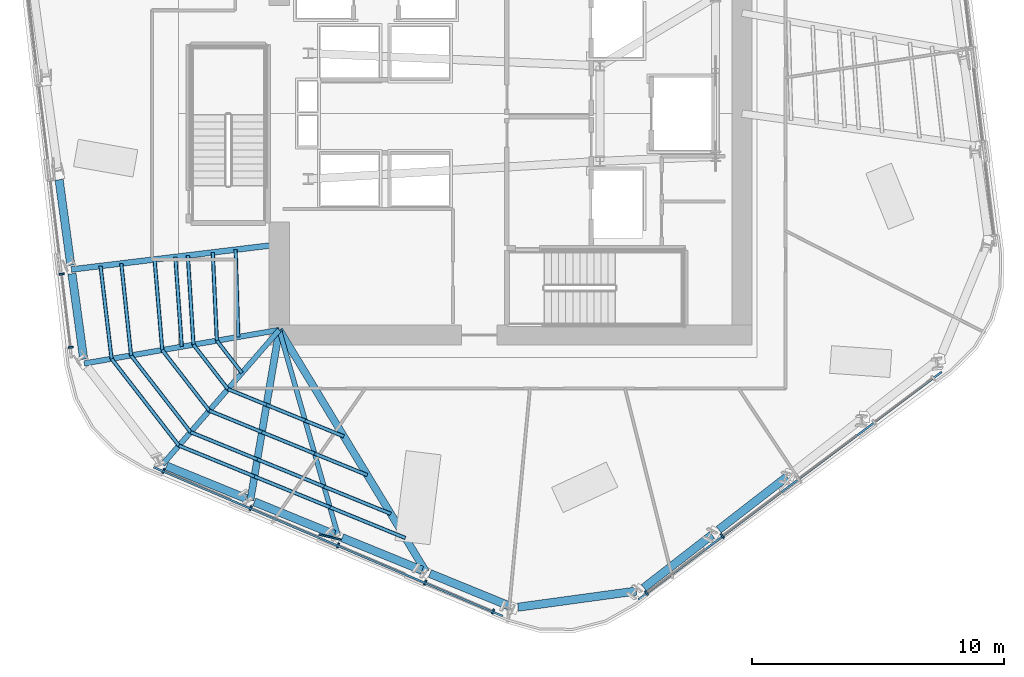
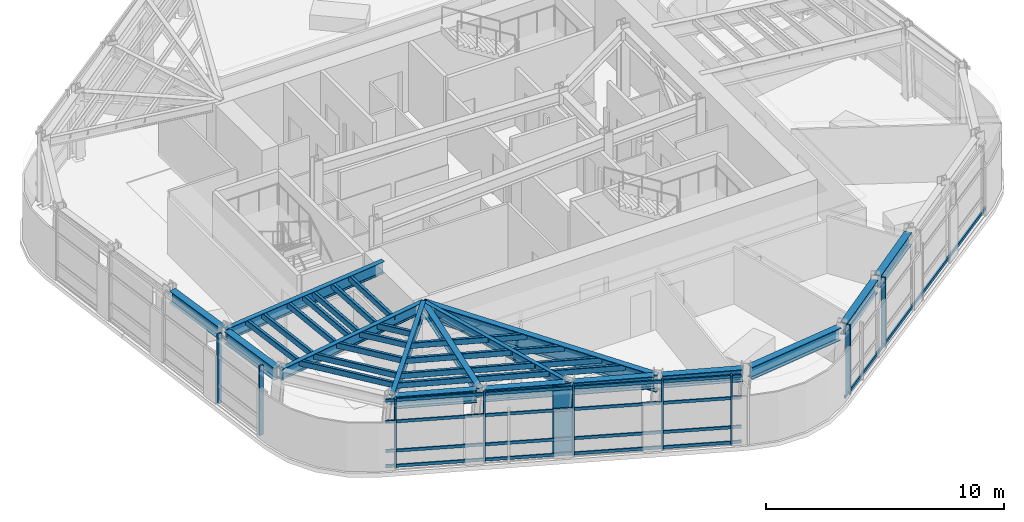
# One storey, part 2 of 14: 39 members, 15 beams, 3 elements without a shape of their own.
"""IFC4 building model written with IfcOpenShell, lengths in metres."""

from ifc_helpers import new_model, si_unit, direction, frame, origin, origin_2d, place, context, subcontext, project, spatial, rectangle, hollow_rectangle, i_section, extrude, material, layer, layer_set, material_profile, profile_set, type_object, element, aggregate, save


model = new_model("IFC4")

# Units and contexts
model_context = context("Model", 3, precision=1e-05, world=origin(), true_north=direction((0.0, 1.0)))
body_context = subcontext(model_context, "Body", "Model", "MODEL_VIEW")
ifc_project = project(units=[si_unit("LENGTHUNIT", "METRE"), si_unit("AREAUNIT", "SQUARE_METRE"), si_unit("VOLUMEUNIT", "CUBIC_METRE"), si_unit("PLANEANGLEUNIT", "RADIAN"), si_unit("MASSUNIT", "GRAM", prefix="KILO")], contexts=[model_context])

# Site, building, storey
site_placement = place(None, origin())
site = spatial("IfcSite", under=ifc_project, at=site_placement, CompositionType="ELEMENT")
building_placement = place(site_placement, origin())
building = spatial("IfcBuilding", under=site, at=building_placement, Name="Valkerne Bourse Tower", CompositionType="ELEMENT")
storey_placement = place(building_placement, frame((0.0, 0.0, 181.800048828125)))
storey = spatial("IfcBuildingStorey", under=building, at=storey_placement, Name="L46", CompositionType="ELEMENT", Elevation=181.800048828125)

# Beams
ifc_material_1 = material(Name="Steel ASTM A992", Category="steel")
ifc_material_profile_1 = material_profile(ifc_material_1, i_section(OverallWidth=0.1904296875, OverallDepth=0.457275390625, WebThickness=0.009033203125, FlangeThickness=0.014404296875, FilletRadius=0.01513671875, at=origin_2d()), Name="W18X50")
ifc_profile_set_1 = profile_set([ifc_material_profile_1], Name="Steel ASTM A992")
beam_type_1 = type_object("IfcBeamType", Name="BM-W18X50", PredefinedType="JOIST", material=ifc_profile_set_1)
beam_1_placement = place(storey_placement, frame((39.944580078125, 10.20166015625, 3.351318359375), z_axis=(-0.27495179558, 0.96145801266, 0.0), x_axis=(-0.96145801266, -0.27495179558, 0.0)))
element("IfcBeam", 1, at=beam_1_placement, inside=storey, type_object=beam_type_1, Name="L46 Radial Composite Floor Beam 17", PredefinedType="JOIST", context=body_context, shape_type="SweptSolid", body=[
    extrude(i_section(OverallWidth=0.1904296875, OverallDepth=0.457275390625, WebThickness=0.009033203125, FlangeThickness=0.014404296875, FilletRadius=0.01513671875, at=origin_2d()), origin(), (0.0, 0.0, 1.0), 8.52685546875),
])
ifc_material_profile_2 = material_profile(ifc_material_1, i_section(OverallWidth=0.279296875, OverallDepth=0.46240234375, WebThickness=0.0107421875, FlangeThickness=0.017333984375, FilletRadius=0.017822265625, at=origin_2d()), Name="W18X76")
ifc_profile_set_2 = profile_set([ifc_material_profile_2], Name="Steel ASTM A992")
beam_type_2 = type_object("IfcBeamType", Name="BM-W18X76", PredefinedType="BEAM", material=ifc_profile_set_2)
beam_2_placement = place(storey_placement, frame((36.453369140625, 11.626708984375, 3.3486328125), z_axis=(0.166928466151, 0.985969009243, 0.0), x_axis=(-0.985969009243, 0.166928466151, 0.0)))
element("IfcBeam", 2, at=beam_2_placement, inside=storey, type_object=beam_type_2, Name="L46 Radial Composite Floor Beam 16", PredefinedType="BEAM", context=body_context, shape_type="SweptSolid", body=[
    extrude(i_section(OverallWidth=0.279296875, OverallDepth=0.46240234375, WebThickness=0.0107421875, FlangeThickness=0.017333984375, FilletRadius=0.017822265625, at=origin_2d()), origin(), (0.0, 0.0, 1.0), 6.86962890625),
])
ifc_material_profile_3 = material_profile(ifc_material_1, i_section(OverallWidth=0.209228515625, OverallDepth=0.533447265625, WebThickness=0.01025390625, FlangeThickness=0.015625, FilletRadius=0.017822265625, at=origin_2d()), Name="W21X62")
ifc_profile_set_3 = profile_set([ifc_material_profile_3], Name="Steel ASTM A992")
beam_type_3 = type_object("IfcBeamType", Name="BM-W21X62", PredefinedType="JOIST", material=ifc_profile_set_3)
beam_3_placement = place(storey_placement, frame((32.9619140625, 13.051513671875, 3.313232421875), z_axis=(0.655165519385, 0.755485368627, 0.0), x_axis=(-0.755485368627, 0.655165519385, 0.0)))
element("IfcBeam", 3, at=beam_3_placement, inside=storey, type_object=beam_type_3, Name="L46 Radial Composite Floor Beam 15", PredefinedType="JOIST", context=body_context, shape_type="SweptSolid", body=[
    extrude(i_section(OverallWidth=0.209228515625, OverallDepth=0.533447265625, WebThickness=0.01025390625, FlangeThickness=0.015625, FilletRadius=0.017822265625, at=origin_2d()), origin(), (0.0, 0.0, 1.0), 7.079345703125),
])
ifc_material_profile_4 = material_profile(ifc_material_1, i_section(OverallWidth=0.2138671875, OverallDepth=0.548583984375, WebThickness=0.0146484375, FlangeThickness=0.023681640625, FilletRadius=0.017822265625, at=origin_2d()), Name="W21X93")
ifc_profile_set_4 = profile_set([ifc_material_profile_4], Name="Steel ASTM A992")
beam_type_4 = type_object("IfcBeamType", Name="BM-W21X93", PredefinedType="BEAM", material=ifc_profile_set_4)
beam_4_placement = place(storey_placement, frame((29.84814453125, 17.0654296875, 3.3056640625), z_axis=(0.985504165926, 0.169651227354, 0.0), x_axis=(-0.169651227354, 0.985504165926, 0.0)))
element("IfcBeam", 4, at=beam_4_placement, inside=storey, type_object=beam_type_4, Name="L46 Radial Composite Floor Beam 14", PredefinedType="BEAM", context=body_context, shape_type="SweptSolid", body=[
    extrude(i_section(OverallWidth=0.2138671875, OverallDepth=0.548583984375, WebThickness=0.0146484375, FlangeThickness=0.023681640625, FilletRadius=0.017822265625, at=origin_2d()), origin(), (0.0, 0.0, 1.0), 7.865966796875),
])
ifc_material_profile_5 = material_profile(ifc_material_1, i_section(OverallWidth=0.32763671875, OverallDepth=0.62744140625, WebThickness=0.0166015625, FlangeThickness=0.027587890625, FilletRadius=0.020263671875, at=origin_2d()), Name="W24X146")
ifc_profile_set_5 = profile_set([ifc_material_profile_5], Name="Steel ASTM A992")
beam_type_5 = type_object("IfcBeamType", Name="BM-W24X146", PredefinedType="SPANDREL", material=ifc_profile_set_5)
for number, where, z_axis, x_axis, name in (
    (5, (28.84765625, 24.369384765625, 3.266357421875), (0.13569107516, -0.990751195872, 0.0), (0.990751195872, 0.13569107516, 0.0), "L46 Hexagonal Spandrel Ring Beam 12"),
    (6, (29.359619140625, 20.63330078125, 3.266357421875), (0.13569107516, -0.990751195872, 0.0), (0.990751195872, 0.13569107516, 0.0), "L46 Hexagonal Spandrel Ring Beam 13"),
    (7, (33.119140625, 12.9873046875, 3.266357421875), (0.925873045145, -0.377834757894, 0.0), (0.377834757894, 0.925873045145, 0.0), "L46 Hexagonal Spandrel Ring Beam 15"),
    (8, (36.610595703125, 11.5625, 3.266357421875), (0.925848151752, -0.377895752686, 0.0), (0.377895752686, 0.925848151752, 0.0), "L46 Hexagonal Spandrel Ring Beam 16"),
    (9, (40.10205078125, 10.137451171875, 3.266357421875), (0.925873045145, -0.377834757894, 0.0), (0.377834757894, 0.925873045145, 0.0), "L46 Hexagonal Spandrel Ring Beam 17"),
    (10, (43.593505859375, 8.712646484375, 3.266357421875), (0.925873045145, -0.377834757894, 0.0), (0.377834757894, 0.925873045145, 0.0), "L46 Hexagonal Spandrel Ring Beam 18"),
):
    element("IfcBeam", number, at=place(storey_placement, frame(where, z_axis=z_axis, x_axis=x_axis)), inside=storey, type_object=beam_type_5, Name=name, PredefinedType="SPANDREL", context=body_context, shape_type="SweptSolid", body=[
        extrude(i_section(OverallWidth=0.32763671875, OverallDepth=0.62744140625, WebThickness=0.0166015625, FlangeThickness=0.027587890625, FilletRadius=0.020263671875, at=origin_2d()), origin(), (0.0, 0.0, 1.0), 3.43115234375),
    ])
beam_5_placement = place(storey_placement, frame((47.09619140625, 7.375, 3.266357421875), z_axis=(0.990747869771, 0.135715358539, 0.0), x_axis=(-0.135715358539, 0.990747869771, 0.0)))
element("IfcBeam", 11, at=beam_5_placement, inside=storey, type_object=beam_type_5, Name="L46 Hexagonal Spandrel Ring Beam 19", PredefinedType="SPANDREL", context=body_context, shape_type="SweptSolid", body=[
    extrude(i_section(OverallWidth=0.32763671875, OverallDepth=0.62744140625, WebThickness=0.0166015625, FlangeThickness=0.027587890625, FilletRadius=0.020263671875, at=origin_2d()), origin(), (0.0, 0.0, 1.0), 4.740234375),
])
beam_6_placement = place(storey_placement, frame((52.09521484375, 8.145751953125, 3.266357421875), z_axis=(0.790160019381, 0.612900598606, 0.0), x_axis=(-0.612900598606, 0.790160019381, 0.0)))
element("IfcBeam", 12, at=beam_6_placement, inside=storey, type_object=beam_type_5, Name="L46 Hexagonal Spandrel Ring Beam 20", PredefinedType="SPANDREL", context=body_context, shape_type="SweptSolid", body=[
    extrude(i_section(OverallWidth=0.32763671875, OverallDepth=0.62744140625, WebThickness=0.0166015625, FlangeThickness=0.027587890625, FilletRadius=0.020263671875, at=origin_2d()), origin(), (0.0, 0.0, 1.0), 3.430908203125),
])
beam_7_placement = place(storey_placement, frame((55.07470703125, 10.45703125, 3.266357421875), z_axis=(0.790186748156, 0.612866137944, 0.0), x_axis=(-0.612866137944, 0.790186748156, 0.0)))
element("IfcBeam", 13, at=beam_7_placement, inside=storey, type_object=beam_type_5, Name="L46 Hexagonal Spandrel Ring Beam 21", PredefinedType="SPANDREL", context=body_context, shape_type="SweptSolid", body=[
    extrude(i_section(OverallWidth=0.32763671875, OverallDepth=0.62744140625, WebThickness=0.0166015625, FlangeThickness=0.027587890625, FilletRadius=0.020263671875, at=origin_2d()), origin(), (0.0, 0.0, 1.0), 3.43115234375),
])
ifc_material_profile_6 = material_profile(ifc_material_1, i_section(OverallWidth=0.228271484375, OverallDepth=0.607177734375, WebThickness=0.01123046875, FlangeThickness=0.017333984375, FilletRadius=0.017822265625, at=origin_2d()), Name="W24X76")
ifc_profile_set_6 = profile_set([ifc_material_profile_6], Name="Steel ASTM A992")
beam_type_6 = type_object("IfcBeamType", Name="BM-W24X76", PredefinedType="JOIST", material=ifc_profile_set_6)
beam_8_placement = place(storey_placement, frame((29.33642578125, 20.801513671875, 3.2763671875), z_axis=(0.992778518529, 0.119961715339, 0.0), x_axis=(-0.119961715339, 0.992778518529, 0.0)))
element("IfcBeam", 14, at=beam_8_placement, inside=storey, type_object=beam_type_6, Name="L46 Radial Composite Floor Beam 13", PredefinedType="JOIST", context=body_context, shape_type="SweptSolid", body=[
    extrude(i_section(OverallWidth=0.228271484375, OverallDepth=0.607177734375, WebThickness=0.01123046875, FlangeThickness=0.017333984375, FilletRadius=0.017822265625, at=origin_2d()), origin(), (0.0, 0.0, 1.0), 8.32373046875),
])
ifc_material_profile_7 = material_profile(ifc_material_1, i_section(OverallWidth=0.2919921875, OverallDepth=0.8583984375, WebThickness=0.01708984375, FlangeThickness=0.031005859375, FilletRadius=0.025390625, at=origin_2d()), Name="W33X169")
ifc_profile_set_7 = profile_set([ifc_material_profile_7], Name="Steel ASTM A992")
beam_type_7 = type_object("IfcBeamType", Name="BM-W33X169", PredefinedType="BEAM", material=ifc_profile_set_7)
beam_9_placement = place(storey_placement, frame((43.436279296875, 8.77685546875, 3.150634765625), z_axis=(-0.518563708553, 0.855038993363, 0.0), x_axis=(-0.855038993363, -0.518563708553, 0.0)))
element("IfcBeam", 15, at=beam_9_placement, inside=storey, type_object=beam_type_7, Name="L46 Radial Composite Floor Beam 18", PredefinedType="BEAM", context=body_context, shape_type="SweptSolid", body=[
    extrude(i_section(OverallWidth=0.2919921875, OverallDepth=0.8583984375, WebThickness=0.01708984375, FlangeThickness=0.031005859375, FilletRadius=0.025390625, at=origin_2d()), origin(), (0.0, 0.0, 1.0), 11.25439453125),
])

# Curtain wall, members
ifc_material_2 = material(Name="Aluminium AA 6063-T6", Category="aluminium")
ifc_layer = layer(ifc_material_2, 0.235107421875)
ifc_layer_set = layer_set([ifc_layer], Name="Aluminium AA 6063-T6")
curtain_wall_type = type_object("IfcCurtainWallType", Name="CW-03", PredefinedType="NOTDEFINED", material=ifc_layer_set)
curtain_wall_1_placement = place(storey_placement, origin())
curtain_wall_1 = element("IfcCurtainWall", 16, at=curtain_wall_1_placement, inside=storey, type_object=curtain_wall_type, Name="L46 Hexagonal Stick Curtain Wall Face 3", PredefinedType="NOTDEFINED")
ifc_material_profile_8 = material_profile(ifc_material_2, rectangle(XDim=0.074951171875, YDim=0.199951171875, at=origin_2d()), Name="CWM-75X200")
ifc_profile_set_8 = profile_set([ifc_material_profile_8], Name="Aluminium AA 6063-T6")
member_type_1 = type_object("IfcMemberType", Name="CW-MUL-220X75", PredefinedType="MULLION", material=ifc_profile_set_8)
member_1_placement = place(storey_placement, frame((28.9541015625, 20.618896484375, 0.0), z_axis=(0.0, 0.0, 1.0), x_axis=(0.120130206083, -0.992758144558, 0.0)))
member_1 = element("IfcMember", 17, at=member_1_placement, type_object=member_type_1, Name="CW-L46-F3 Jamb Mullion 03A", PredefinedType="MULLION", context=body_context, shape_type="SweptSolid", body=[
    extrude(rectangle(XDim=0.074951171875, YDim=0.199951171875, at=origin_2d()), origin(), (0.0, 0.0, 1.0), 3.579833984375),
])
member_2_placement = place(storey_placement, frame((29.30615234375, 17.708984375, 0.0), z_axis=(0.0, 0.0, 1.0), x_axis=(0.120130206083, -0.992758144558, 0.0)))
member_2 = element("IfcMember", 18, at=member_2_placement, type_object=member_type_1, Name="CW-L46-F3 Jamb Mullion 03B", PredefinedType="MULLION", context=body_context, shape_type="SweptSolid", body=[
    extrude(rectangle(XDim=0.074951171875, YDim=0.199951171875, at=origin_2d()), origin(), (0.0, 0.0, 1.0), 3.579833984375),
])
aggregate(curtain_wall_1, [member_1, member_2])

curtain_wall_2_placement = place(storey_placement, origin())
curtain_wall_2 = element("IfcCurtainWall", 19, at=curtain_wall_2_placement, inside=storey, type_object=curtain_wall_type, Name="L46 Hexagonal Stick Curtain Wall Face 4", PredefinedType="NOTDEFINED")
member_3_placement = place(storey_placement, frame((32.997314453125, 12.79296875, 0.0), z_axis=(0.0, 0.0, 1.0), x_axis=(0.919823978755, -0.392331298914, 0.0)))
member_3 = element("IfcMember", 20, at=member_3_placement, type_object=member_type_1, Name="CW-L46-F4 Jamb Mullion 00A", PredefinedType="MULLION", context=body_context, shape_type="SweptSolid", body=[
    extrude(rectangle(XDim=0.074951171875, YDim=0.199951171875, at=origin_2d()), origin(), (0.0, 0.0, 1.0), 3.579833984375),
])
member_4_placement = place(storey_placement, frame((36.466064453125, 11.3134765625, 0.0), z_axis=(0.0, 0.0, 1.0), x_axis=(0.919819896878, -0.392340868769, 0.0)))
member_4 = element("IfcMember", 21, at=member_4_placement, type_object=member_type_1, Name="CW-L46-F4 Jamb Mullion 01A", PredefinedType="MULLION", context=body_context, shape_type="SweptSolid", body=[
    extrude(rectangle(XDim=0.074951171875, YDim=0.199951171875, at=origin_2d()), origin(), (0.0, 0.0, 1.0), 3.579833984375),
])
member_5_placement = place(storey_placement, frame((39.9345703125, 9.833984375, 0.0), z_axis=(0.0, 0.0, 1.0), x_axis=(0.919823978755, -0.392331298914, 0.0)))
member_5 = element("IfcMember", 22, at=member_5_placement, type_object=member_type_1, Name="CW-L46-F4 Jamb Mullion 02A", PredefinedType="MULLION", context=body_context, shape_type="SweptSolid", body=[
    extrude(rectangle(XDim=0.074951171875, YDim=0.199951171875, at=origin_2d()), origin(), (0.0, 0.0, 1.0), 3.579833984375),
])
member_6_placement = place(storey_placement, frame((43.4033203125, 8.3544921875, 0.0), z_axis=(0.0, 0.0, 1.0), x_axis=(0.919819896878, -0.392340868769, 0.0)))
member_6 = element("IfcMember", 23, at=member_6_placement, type_object=member_type_1, Name="CW-L46-F4 Jamb Mullion 03A", PredefinedType="MULLION", context=body_context, shape_type="SweptSolid", body=[
    extrude(rectangle(XDim=0.074951171875, YDim=0.199951171875, at=origin_2d()), origin(), (0.0, 0.0, 1.0), 3.579833984375),
])
member_7_placement = place(storey_placement, frame((46.099365234375, 7.20458984375, 0.0), z_axis=(0.0, 0.0, 1.0), x_axis=(0.919819896878, -0.392340868769, 0.0)))
member_7 = element("IfcMember", 24, at=member_7_placement, type_object=member_type_1, Name="CW-L46-F4 Jamb Mullion 03B", PredefinedType="MULLION", context=body_context, shape_type="SweptSolid", body=[
    extrude(rectangle(XDim=0.074951171875, YDim=0.199951171875, at=origin_2d()), origin(), (0.0, 0.0, 1.0), 3.579833984375),
])

curtain_wall_3_placement = place(storey_placement, origin())
curtain_wall_3 = element("IfcCurtainWall", 25, at=curtain_wall_3_placement, inside=storey, type_object=curtain_wall_type, Name="L46 Hexagonal Stick Curtain Wall Face 5", PredefinedType="NOTDEFINED")
member_8_placement = place(storey_placement, frame((52.202392578125, 7.943115234375, 0.0), z_axis=(0.0, 0.0, 1.0), x_axis=(0.799691229291, 0.600411473737, 0.0)))
member_8 = element("IfcMember", 26, at=member_8_placement, type_object=member_type_1, Name="CW-L46-F5 Jamb Mullion 00A", PredefinedType="MULLION", context=body_context, shape_type="SweptSolid", body=[
    extrude(rectangle(XDim=0.074951171875, YDim=0.199951171875, at=origin_2d()), origin(), (0.0, 0.0, 1.0), 3.579833984375),
])
member_9_placement = place(storey_placement, frame((55.218017578125, 10.207275390625, 0.0), z_axis=(0.0, 0.0, 1.0), x_axis=(0.799694402222, 0.60040724767, 0.0)))
member_9 = element("IfcMember", 27, at=member_9_placement, type_object=member_type_1, Name="CW-L46-F5 Jamb Mullion 01A", PredefinedType="MULLION", context=body_context, shape_type="SweptSolid", body=[
    extrude(rectangle(XDim=0.074951171875, YDim=0.199951171875, at=origin_2d()), origin(), (0.0, 0.0, 1.0), 3.579833984375),
])

# Member
ifc_material_profile_9 = material_profile(ifc_material_2, rectangle(XDim=0.074951171875, YDim=0.14990234375, at=origin_2d()), Name="CWT-75X150")
ifc_profile_set_9 = profile_set([ifc_material_profile_9], Name="Aluminium AA 6063-T6")
member_type_2 = type_object("IfcMemberType", Name="CW-TRN-180X65", PredefinedType="USERDEFINED", material=ifc_profile_set_9)
member_10_placement = place(storey_placement, frame((32.603271484375, 12.939453125, 0.119873046875), z_axis=(0.919821784613, -0.392336443058, 0.0), x_axis=(0.392336443058, 0.919821784613, 0.0)))
member_10 = element("IfcMember", 28, at=member_10_placement, type_object=member_type_2, Name="CW-L46-F4 Continuous Face Transom 1", ObjectType="TRANSOM", PredefinedType="USERDEFINED", context=body_context, shape_type="SweptSolid", body=[
    extrude(rectangle(XDim=0.074951171875, YDim=0.14990234375, at=origin_2d()), origin(), (0.0, 0.0, 1.0), 15.083984375),
])

member_11_placement = place(storey_placement, frame((32.603271484375, 12.939453125, 0.89990234375), z_axis=(0.919821784613, -0.392336443058, 0.0), x_axis=(0.392336443058, 0.919821784613, 0.0)))
member_11 = element("IfcMember", 29, at=member_11_placement, type_object=member_type_2, Name="CW-L46-F4 Continuous Face Transom 2", ObjectType="TRANSOM", PredefinedType="USERDEFINED", context=body_context, shape_type="SweptSolid", body=[
    extrude(rectangle(XDim=0.074951171875, YDim=0.14990234375, at=origin_2d()), origin(), (0.0, 0.0, 1.0), 15.083984375),
])

member_12_placement = place(storey_placement, frame((32.603271484375, 12.939453125, 2.39990234375), z_axis=(0.919821784613, -0.392336443058, 0.0), x_axis=(0.392336443058, 0.919821784613, 0.0)))
member_12 = element("IfcMember", 30, at=member_12_placement, type_object=member_type_2, Name="CW-L46-F4 Continuous Face Transom 3", ObjectType="TRANSOM", PredefinedType="USERDEFINED", context=body_context, shape_type="SweptSolid", body=[
    extrude(rectangle(XDim=0.074951171875, YDim=0.14990234375, at=origin_2d()), origin(), (0.0, 0.0, 1.0), 15.083984375),
])

member_13_placement = place(storey_placement, frame((32.603271484375, 12.939453125, 3.5), z_axis=(0.919821784613, -0.392336443058, 0.0), x_axis=(0.392336443058, 0.919821784613, 0.0)))
member_13 = element("IfcMember", 31, at=member_13_placement, type_object=member_type_2, Name="CW-L46-F4 Continuous Face Transom 4", ObjectType="TRANSOM", PredefinedType="USERDEFINED", context=body_context, shape_type="SweptSolid", body=[
    extrude(rectangle(XDim=0.074951171875, YDim=0.14990234375, at=origin_2d()), origin(), (0.0, 0.0, 1.0), 15.083984375),
])

aggregate(curtain_wall_2, [member_10, member_11, member_12, member_13, member_3, member_4, member_5, member_6, member_7])

member_14_placement = place(storey_placement, frame((51.87841796875, 7.6748046875, 0.119873046875), z_axis=(0.799681361337, 0.600424616692, 0.0), x_axis=(-0.600424616692, 0.799681361337, 0.0)))
member_14 = element("IfcMember", 32, at=member_14_placement, type_object=member_type_2, Name="CW-L46-F5 Continuous Face Transom 1", ObjectType="TRANSOM", PredefinedType="USERDEFINED", context=body_context, shape_type="SweptSolid", body=[
    extrude(rectangle(XDim=0.074951171875, YDim=0.14990234375, at=origin_2d()), origin(), (0.0, 0.0, 1.0), 15.084228515625),
])

aggregate(curtain_wall_3, [member_14, member_8, member_9])

# Members
ifc_material_3 = material(Name="Bronze Anodised Aluminium AA 6063-T6", Category="aluminium")
ifc_material_profile_10 = material_profile(ifc_material_3, rectangle(XDim=0.070068359375, YDim=0.89990234375, at=origin_2d()), Name="FIN-70X900")
ifc_profile_set_10 = profile_set([ifc_material_profile_10], Name="Bronze Anodised Aluminium AA 6063-T6")
member_type_3 = type_object("IfcMemberType", Name="FIN-SOLAR-900", PredefinedType="USERDEFINED", material=ifc_profile_set_10)
member_15_placement = place(storey_placement, frame((39.618896484375, 10.164306640625, 0.00390625), z_axis=(0.0, 0.0, 1.0), x_axis=(-0.225729988705, -0.974189905614, 0.0)))
element("IfcMember", 33, at=member_15_placement, inside=storey, type_object=member_type_3, Name="L46 Bronze Anodised Solar Fin F4-02", ObjectType="SOLAR_FIN", PredefinedType="USERDEFINED", context=body_context, shape_type="SweptSolid", body=[
    extrude(rectangle(XDim=0.070068359375, YDim=0.89990234375, at=origin_2d()), origin(), (0.0, 0.0, 1.0), 3.572021484375),
])
ifc_material_4 = material(Name="Steel ASTM A500 Grade C", Category="steel")
ifc_material_profile_11 = material_profile(ifc_material_4, hollow_rectangle(XDim=0.14990234375, YDim=0.300048828125, WallThickness=0.012451171875, OuterFilletRadius=0.02490234375, at=origin_2d()), Name="HSS300X150X12.5")
ifc_profile_set_11 = profile_set([ifc_material_profile_11], Name="Steel ASTM A500 Grade C")
member_type_4 = type_object("IfcMemberType", Name="MBR-HSS300X150X12.5", PredefinedType="PURLIN", material=ifc_profile_set_11)
member_16_placement = place(storey_placement, frame((34.95556640625, 21.48046875, 3.419921875), z_axis=(0.046653398288, -0.998911137403, 0.0), x_axis=(0.998911137403, 0.046653398288, 0.0)))
element("IfcMember", 34, at=member_16_placement, inside=storey, type_object=member_type_4, Name="L46 Secondary Composite Floor Purlin I-13", PredefinedType="PURLIN", context=body_context, shape_type="SweptSolid", body=[
    extrude(hollow_rectangle(XDim=0.14990234375, YDim=0.300048828125, WallThickness=0.012451171875, OuterFilletRadius=0.02490234375, at=origin_2d()), origin(), (0.0, 0.0, 1.0), 3.511474609375),
])
member_17_placement = place(storey_placement, frame((35.119384765625, 17.972900390625, 3.419921875), z_axis=(0.612921127674, -0.790144095245, 0.0), x_axis=(0.790144095245, 0.612921127674, 0.0)))
element("IfcMember", 35, at=member_17_placement, inside=storey, type_object=member_type_4, Name="L46 Secondary Composite Floor Purlin I-14", PredefinedType="PURLIN", context=body_context, shape_type="SweptSolid", body=[
    extrude(hollow_rectangle(XDim=0.14990234375, YDim=0.300048828125, WallThickness=0.012451171875, OuterFilletRadius=0.02490234375, at=origin_2d()), origin(), (0.0, 0.0, 1.0), 1.62548828125),
])
member_18_placement = place(storey_placement, frame((33.964111328125, 21.360595703125, 3.419921875), z_axis=(0.063318873229, -0.997993346818, 0.0), x_axis=(0.997993346818, 0.063318873229, 0.0)))
element("IfcMember", 36, at=member_18_placement, inside=storey, type_object=member_type_4, Name="L46 Secondary Composite Floor Purlin K-13", PredefinedType="PURLIN", context=body_context, shape_type="SweptSolid", body=[
    extrude(hollow_rectangle(XDim=0.14990234375, YDim=0.300048828125, WallThickness=0.012451171875, OuterFilletRadius=0.02490234375, at=origin_2d()), origin(), (0.0, 0.0, 1.0), 3.554931640625),
])
member_19_placement = place(storey_placement, frame((34.189208984375, 17.812744140625, 3.419921875), z_axis=(0.612888941497, -0.790169061271, 0.0), x_axis=(0.790169061271, 0.612888941497, 0.0)))
element("IfcMember", 37, at=member_19_placement, inside=storey, type_object=member_type_4, Name="L46 Secondary Composite Floor Purlin K-14", PredefinedType="PURLIN", context=body_context, shape_type="SweptSolid", body=[
    extrude(hollow_rectangle(XDim=0.14990234375, YDim=0.300048828125, WallThickness=0.012451171875, OuterFilletRadius=0.02490234375, at=origin_2d()), origin(), (0.0, 0.0, 1.0), 2.235107421875),
])
member_20_placement = place(storey_placement, frame((35.55908203125, 16.046630859375, 3.419921875), z_axis=(0.925877056003, -0.377824929257, 0.0), x_axis=(0.377824929257, 0.925877056003, 0.0)))
element("IfcMember", 38, at=member_20_placement, inside=storey, type_object=member_type_4, Name="L46 Secondary Composite Floor Purlin K-15", PredefinedType="PURLIN", context=body_context, shape_type="SweptSolid", body=[
    extrude(hollow_rectangle(XDim=0.14990234375, YDim=0.300048828125, WallThickness=0.012451171875, OuterFilletRadius=0.02490234375, at=origin_2d()), origin(), (0.0, 0.0, 1.0), 1.659423828125),
])
member_21_placement = place(storey_placement, frame((37.095458984375, 15.419677734375, 3.419921875), z_axis=(0.925856048929, -0.377876403949, 0.0), x_axis=(0.377876403949, 0.925856048929, 0.0)))
element("IfcMember", 39, at=member_21_placement, inside=storey, type_object=member_type_4, Name="L46 Secondary Composite Floor Purlin K-16", PredefinedType="PURLIN", context=body_context, shape_type="SweptSolid", body=[
    extrude(hollow_rectangle(XDim=0.14990234375, YDim=0.300048828125, WallThickness=0.012451171875, OuterFilletRadius=0.02490234375, at=origin_2d()), origin(), (0.0, 0.0, 1.0), 1.6591796875),
])
member_22_placement = place(storey_placement, frame((38.631591796875, 14.792724609375, 3.419921875), z_axis=(0.925877056003, -0.377824929257, 0.0), x_axis=(0.377824929257, 0.925877056003, 0.0)))
element("IfcMember", 40, at=member_22_placement, inside=storey, type_object=member_type_4, Name="L46 Secondary Composite Floor Purlin K-17", PredefinedType="PURLIN", context=body_context, shape_type="SweptSolid", body=[
    extrude(hollow_rectangle(XDim=0.14990234375, YDim=0.300048828125, WallThickness=0.012451171875, OuterFilletRadius=0.02490234375, at=origin_2d()), origin(), (0.0, 0.0, 1.0), 1.659423828125),
])
member_23_placement = place(storey_placement, frame((33.46826171875, 21.30078125, 3.419921875), z_axis=(0.071523502063, -0.997438914747, 0.0), x_axis=(0.997438914747, 0.071523502063, 0.0)))
element("IfcMember", 41, at=member_23_placement, inside=storey, type_object=member_type_4, Name="L46 Secondary Composite Floor Purlin M-13", PredefinedType="PURLIN", context=body_context, shape_type="SweptSolid", body=[
    extrude(hollow_rectangle(XDim=0.14990234375, YDim=0.300048828125, WallThickness=0.012451171875, OuterFilletRadius=0.02490234375, at=origin_2d()), origin(), (0.0, 0.0, 1.0), 3.577392578125),
])
member_24_placement = place(storey_placement, frame((31.319580078125, 21.041259765625, 3.419921875), z_axis=(0.105794437851, -0.994388021307, 0.0), x_axis=(0.994388021307, 0.105794437851, 0.0)))
element("IfcMember", 42, at=member_24_placement, inside=storey, type_object=member_type_4, Name="L46 Secondary Composite Floor Purlin O-13", PredefinedType="PURLIN", context=body_context, shape_type="SweptSolid", body=[
    extrude(hollow_rectangle(XDim=0.14990234375, YDim=0.300048828125, WallThickness=0.012451171875, OuterFilletRadius=0.02490234375, at=origin_2d()), origin(), (0.0, 0.0, 1.0), 3.67626953125),
])
member_25_placement = place(storey_placement, frame((31.70849609375, 17.3857421875, 3.419921875), z_axis=(0.612941974179, -0.790127924003, 0.0), x_axis=(0.790127924003, 0.612941974179, 0.0)))
element("IfcMember", 43, at=member_25_placement, inside=storey, type_object=member_type_4, Name="L46 Secondary Composite Floor Purlin O-14", PredefinedType="PURLIN", context=body_context, shape_type="SweptSolid", body=[
    extrude(hollow_rectangle(XDim=0.14990234375, YDim=0.300048828125, WallThickness=0.012451171875, OuterFilletRadius=0.02490234375, at=origin_2d()), origin(), (0.0, 0.0, 1.0), 3.86083984375),
])
for number, where, z_axis, x_axis, name in (
    (44, (34.074951171875, 14.335205078125, 3.419921875), (0.925857375148, -0.37787315449, 0.0), (0.37787315449, 0.925857375148, 0.0), "L46 Secondary Composite Floor Purlin O-15"),
    (45, (36.728515625, 13.252197265625, 3.419921875), (0.925857375148, -0.37787315449, 0.0), (0.37787315449, 0.925857375148, 0.0), "L46 Secondary Composite Floor Purlin O-16"),
):
    element("IfcMember", number, at=place(storey_placement, frame(where, z_axis=z_axis, x_axis=x_axis)), inside=storey, type_object=member_type_4, Name=name, PredefinedType="PURLIN", context=body_context, shape_type="SweptSolid", body=[
        extrude(hollow_rectangle(XDim=0.14990234375, YDim=0.300048828125, WallThickness=0.012451171875, OuterFilletRadius=0.02490234375, at=origin_2d()), origin(), (0.0, 0.0, 1.0), 2.865966796875),
    ])
member_26_placement = place(storey_placement, frame((39.382080078125, 12.169189453125, 3.419921875), z_axis=(0.92587501488, -0.377829931081, 0.0), x_axis=(0.377829931081, 0.92587501488, 0.0)))
element("IfcMember", 46, at=member_26_placement, inside=storey, type_object=member_type_4, Name="L46 Secondary Composite Floor Purlin O-17", PredefinedType="PURLIN", context=body_context, shape_type="SweptSolid", body=[
    extrude(hollow_rectangle(XDim=0.14990234375, YDim=0.300048828125, WallThickness=0.012451171875, OuterFilletRadius=0.02490234375, at=origin_2d()), origin(), (0.0, 0.0, 1.0), 2.86572265625),
])
member_27_placement = place(storey_placement, frame((32.641845703125, 21.200927734375, 3.419921875), z_axis=(0.084968184006, -0.996383664914, 0.0), x_axis=(0.996383664914, 0.084968184006, 0.0)))
element("IfcMember", 47, at=member_27_placement, inside=storey, type_object=member_type_4, Name="L46 Secondary Composite Floor Purlin Z-13", PredefinedType="PURLIN", context=body_context, shape_type="SweptSolid", body=[
    extrude(hollow_rectangle(XDim=0.14990234375, YDim=0.300048828125, WallThickness=0.012451171875, OuterFilletRadius=0.02490234375, at=origin_2d()), origin(), (0.0, 0.0, 1.0), 3.61474609375),
])
member_28_placement = place(storey_placement, frame((32.948974609375, 17.599365234375, 3.419921875), z_axis=(0.612903134175, -0.790158052619, 0.0), x_axis=(0.790158052619, 0.612903134175, 0.0)))
element("IfcMember", 48, at=member_28_placement, inside=storey, type_object=member_type_4, Name="L46 Secondary Composite Floor Purlin Z-14", PredefinedType="PURLIN", context=body_context, shape_type="SweptSolid", body=[
    extrude(hollow_rectangle(XDim=0.14990234375, YDim=0.300048828125, WallThickness=0.012451171875, OuterFilletRadius=0.02490234375, at=origin_2d()), origin(), (0.0, 0.0, 1.0), 3.048095703125),
])
member_29_placement = place(storey_placement, frame((34.817138671875, 15.19091796875, 3.419921875), z_axis=(0.925864591961, -0.377855471513, 0.0), x_axis=(0.377855471513, 0.925864591961, 0.0)))
element("IfcMember", 49, at=member_29_placement, inside=storey, type_object=member_type_4, Name="L46 Secondary Composite Floor Purlin Z-15", PredefinedType="PURLIN", context=body_context, shape_type="SweptSolid", body=[
    extrude(hollow_rectangle(XDim=0.14990234375, YDim=0.300048828125, WallThickness=0.012451171875, OuterFilletRadius=0.02490234375, at=origin_2d()), origin(), (0.0, 0.0, 1.0), 2.2626953125),
])
member_30_placement = place(storey_placement, frame((36.912109375, 14.3359375, 3.419921875), z_axis=(0.925849184678, -0.377893221998, 0.0), x_axis=(0.377893221998, 0.925849184678, 0.0)))
element("IfcMember", 50, at=member_30_placement, inside=storey, type_object=member_type_4, Name="L46 Secondary Composite Floor Purlin Z-16", PredefinedType="PURLIN", context=body_context, shape_type="SweptSolid", body=[
    extrude(hollow_rectangle(XDim=0.14990234375, YDim=0.300048828125, WallThickness=0.012451171875, OuterFilletRadius=0.02490234375, at=origin_2d()), origin(), (0.0, 0.0, 1.0), 2.262451171875),
])
member_31_placement = place(storey_placement, frame((39.0068359375, 13.48095703125, 3.419921875), z_axis=(0.925902335908, -0.377762973781, 0.0), x_axis=(0.377762973781, 0.925902335908, 0.0)))
element("IfcMember", 51, at=member_31_placement, inside=storey, type_object=member_type_4, Name="L46 Secondary Composite Floor Purlin Z-17", PredefinedType="PURLIN", context=body_context, shape_type="SweptSolid", body=[
    extrude(hollow_rectangle(XDim=0.14990234375, YDim=0.300048828125, WallThickness=0.012451171875, OuterFilletRadius=0.02490234375, at=origin_2d()), origin(), (0.0, 0.0, 1.0), 2.2626953125),
])
member_32_placement = place(storey_placement, frame((35.864501953125, 21.59033203125, 3.419921875), z_axis=(0.031008647926, -0.999519116252, 0.0), x_axis=(0.999519116252, 0.031008647926, 0.0)))
element("IfcMember", 52, at=member_32_placement, inside=storey, type_object=member_type_4, Name="L46 Secondary Composite Floor Purlin S-13", PredefinedType="PURLIN", context=body_context, shape_type="SweptSolid", body=[
    extrude(hollow_rectangle(XDim=0.14990234375, YDim=0.300048828125, WallThickness=0.012451171875, OuterFilletRadius=0.02490234375, at=origin_2d()), origin(), (0.0, 0.0, 1.0), 3.47216796875),
])
member_33_placement = place(storey_placement, frame((30.493408203125, 20.94140625, 3.419921875), z_axis=(0.118476684054, -0.992956834578, 0.0), x_axis=(0.992956834578, 0.118476684054, 0.0)))
element("IfcMember", 53, at=member_33_placement, inside=storey, type_object=member_type_4, Name="L46 Secondary Composite Floor Purlin T-13", PredefinedType="PURLIN", context=body_context, shape_type="SweptSolid", body=[
    extrude(hollow_rectangle(XDim=0.14990234375, YDim=0.300048828125, WallThickness=0.012451171875, OuterFilletRadius=0.02490234375, at=origin_2d()), origin(), (0.0, 0.0, 1.0), 3.71533203125),
])
member_34_placement = place(storey_placement, frame((30.93359375, 17.252197265625, 3.419921875), z_axis=(0.612895448345, -0.790164014239, 0.0), x_axis=(0.790164014239, 0.612895448345, 0.0)))
element("IfcMember", 54, at=member_34_placement, inside=storey, type_object=member_type_4, Name="L46 Secondary Composite Floor Purlin T-14", PredefinedType="PURLIN", context=body_context, shape_type="SweptSolid", body=[
    extrude(hollow_rectangle(XDim=0.14990234375, YDim=0.300048828125, WallThickness=0.012451171875, OuterFilletRadius=0.02490234375, at=origin_2d()), origin(), (0.0, 0.0, 1.0), 4.36865234375),
])
for number, where, z_axis, x_axis, name in (
    (55, (33.611083984375, 13.80029296875, 3.419921875), (0.925873980189, -0.377832466588, 0.0), (0.377832466588, 0.925873980189, 0.0), "L46 Secondary Composite Floor Purlin T-15"),
    (56, (36.61376953125, 12.574951171875, 3.419921875), (0.925873980189, -0.377832466588, 0.0), (0.377832466588, 0.925873980189, 0.0), "L46 Secondary Composite Floor Purlin T-16"),
    (57, (39.616455078125, 11.349609375, 3.419921875), (0.925847643695, -0.377896997427, 0.0), (0.377896997427, 0.925847643695, 0.0), "L46 Secondary Composite Floor Purlin T-17"),
):
    element("IfcMember", number, at=place(storey_placement, frame(where, z_axis=z_axis, x_axis=x_axis)), inside=storey, type_object=member_type_4, Name=name, PredefinedType="PURLIN", context=body_context, shape_type="SweptSolid", body=[
        extrude(hollow_rectangle(XDim=0.14990234375, YDim=0.300048828125, WallThickness=0.012451171875, OuterFilletRadius=0.02490234375, at=origin_2d()), origin(), (0.0, 0.0, 1.0), 3.2431640625),
    ])

save(model, "model.ifc")
